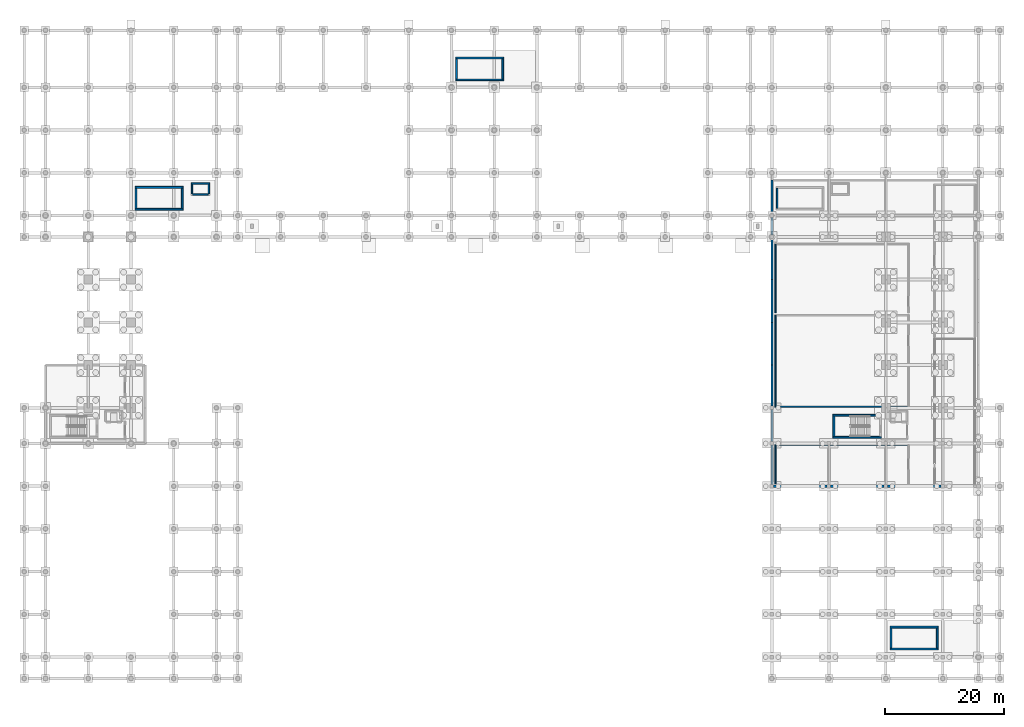
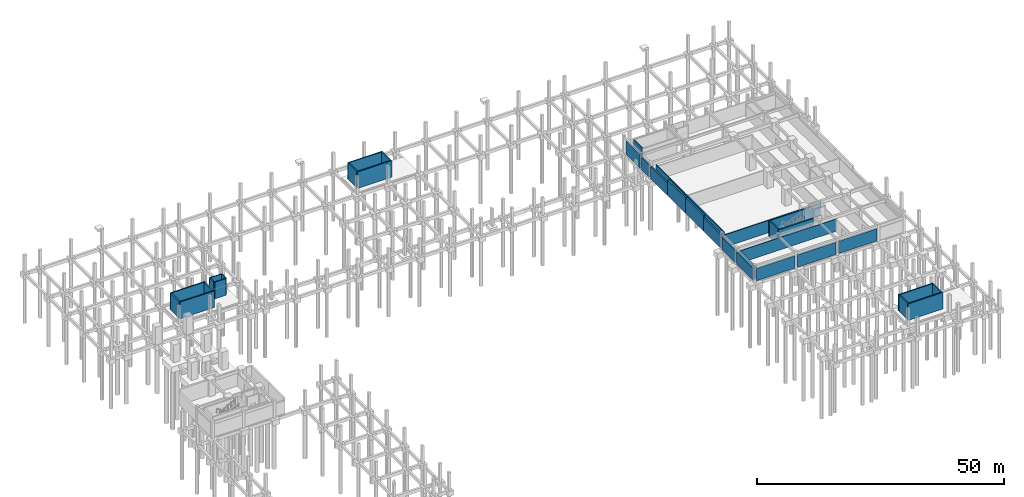
# One storey, part 15 of 20: 36 walls.
"""IFC4 building model written with IfcOpenShell, lengths in metres."""

from ifc_helpers import new_model, si_unit, direction, frame, frame_2d, origin, place, context, subcontext, project, spatial, rectangle, extrude, material, layer, layer_set, type_object, element, save


model = new_model("IFC4")

# Units and contexts
model_context = context("Model", 3, precision=1e-05, world=origin(), true_north=direction((0.0, 1.0)))
body_context = subcontext(model_context, "Body", "Model", "MODEL_VIEW")
ifc_project = project(units=[si_unit("LENGTHUNIT", "METRE"), si_unit("AREAUNIT", "SQUARE_METRE"), si_unit("VOLUMEUNIT", "CUBIC_METRE"), si_unit("PLANEANGLEUNIT", "RADIAN"), si_unit("MASSUNIT", "GRAM", prefix="KILO")], contexts=[model_context])

# Site, building, storey
site_placement = place(None, origin())
site = spatial("IfcSite", under=ifc_project, at=site_placement, CompositionType="ELEMENT")
building_placement = place(site_placement, origin())
building = spatial("IfcBuilding", under=site, at=building_placement, Name="Nzembalo Square Collegiate School", CompositionType="ELEMENT")
storey_placement = place(building_placement, frame((0.0, 0.0, -4.080078125)))
storey = spatial("IfcBuildingStorey", under=building, at=storey_placement, Name="B1", CompositionType="ELEMENT", Elevation=-4.080078125)

# Walls
ifc_material_1 = material(Name="Concrete C40/50", Category="concrete")
ifc_layer_1 = layer(ifc_material_1, 0.320068359375, Name="Concrete C40/50")
ifc_layer_set_1 = layer_set([ifc_layer_1], Name="Concrete C40/50")
wall_type_1 = type_object("IfcWallType", Name="SW01", PredefinedType="SHEAR", material=ifc_layer_set_1)
wall_1_placement = place(storey_placement, frame((141.239990234375, 45.60009765625, 0.0), z_axis=(0.0, 0.0, 1.0), x_axis=(0.0, 1.0, 0.0)))
element("IfcWall", 1, at=wall_1_placement, inside=storey, type_object=wall_type_1, Name="Core C5 stair shear wall W B1", PredefinedType="SHEAR", context=body_context, shape_type="SweptSolid", body=[
    extrude(rectangle(XDim=3.39990234375, YDim=0.320068359375, at=frame_2d((1.699951171875, 0.0))), origin(), (0.0, 0.0, 1.0), 4.080078125),
])
for number, where, z_axis, x_axis, name in (
    (2, (141.080078125, 45.43994140625, 0.0), (0.0, 0.0, 1.0), (1.0, 0.0, 0.0), "Core C5 stair shear wall S B1"),
    (3, (141.080078125, 49.159912109375, 0.0), (0.0, 0.0, 1.0), (1.0, 0.0, 0.0), "Core C5 stair shear wall N B1"),
):
    element("IfcWall", number, at=place(storey_placement, frame(where, z_axis=z_axis, x_axis=x_axis)), inside=storey, type_object=wall_type_1, Name=name, PredefinedType="SHEAR", context=body_context, shape_type="SweptSolid", body=[
        extrude(rectangle(XDim=8.139892578125, YDim=0.320068359375, at=frame_2d((4.06982421875, 0.0))), origin(), (0.0, 0.0, 1.0), 4.080078125),
    ])
ifc_material_2 = material(Name="Concrete C40/50", Category="concrete")
ifc_layer_2 = layer(ifc_material_2, 0.300048828125, Name="Concrete C40/50")
ifc_layer_set_2 = layer_set([ifc_layer_2], Name="Concrete C40/50")
wall_type_2 = type_object("IfcWallType", Name="SW02", PredefinedType="SHEAR", material=ifc_layer_set_2)
wall_2_placement = place(storey_placement, frame((23.64990234375, 84.0, 0.0), z_axis=(0.0, 0.0, 1.0), x_axis=(0.0, 1.0, 0.0)))
element("IfcWall", 4, at=wall_2_placement, inside=storey, type_object=wall_type_2, Name="Core C2 stair shear wall W B1", PredefinedType="SHEAR", context=body_context, shape_type="SweptSolid", body=[
    extrude(rectangle(XDim=3.39990234375, YDim=0.300048828125, at=frame_2d((1.699951171875, 0.0))), origin(), (0.0, 0.0, 1.0), 4.080078125),
])
for number, where, z_axis, x_axis, name in (
    (5, (23.5, 83.85009765625, 0.0), (0.0, 0.0, 1.0), (1.0, 0.0, 0.0), "Core C2 stair shear wall S B1"),
    (6, (23.5, 87.550048828125, 0.0), (0.0, 0.0, 1.0), (1.0, 0.0, 0.0), "Core C2 stair shear wall N B1"),
):
    element("IfcWall", number, at=place(storey_placement, frame(where, z_axis=z_axis, x_axis=x_axis)), inside=storey, type_object=wall_type_2, Name=name, PredefinedType="SHEAR", context=body_context, shape_type="SweptSolid", body=[
        extrude(rectangle(XDim=8.10009765625, YDim=0.300048828125, at=frame_2d((4.050048828125, 0.0))), origin(), (0.0, 0.0, 1.0), 4.080078125),
    ])
wall_3_placement = place(storey_placement, frame((31.449951171875, 84.0, 0.0), z_axis=(0.0, 0.0, 1.0), x_axis=(0.0, 1.0, 0.0)))
element("IfcWall", 7, at=wall_3_placement, inside=storey, type_object=wall_type_2, Name="Core C2 stair shear wall E B1", PredefinedType="SHEAR", context=body_context, shape_type="SweptSolid", body=[
    extrude(rectangle(XDim=3.39990234375, YDim=0.300048828125, at=frame_2d((1.699951171875, 0.0))), origin(), (0.0, 0.0, 1.0), 4.080078125),
])
wall_4_placement = place(storey_placement, frame((150.85009765625, 9.89990234375, 0.0), z_axis=(0.0, 0.0, 1.0), x_axis=(0.0, 1.0, 0.0)))
element("IfcWall", 8, at=wall_4_placement, inside=storey, type_object=wall_type_2, Name="Core C6 stair shear wall W B1", PredefinedType="SHEAR", context=body_context, shape_type="SweptSolid", body=[
    extrude(rectangle(XDim=3.400146484375, YDim=0.300048828125, at=frame_2d((1.7001953125, 0.0))), origin(), (0.0, 0.0, 1.0), 4.080078125),
])
for number, where, z_axis, x_axis, name in (
    (9, (150.699951171875, 9.75, 0.0), (0.0, 0.0, 1.0), (1.0, 0.0, 0.0), "Core C6 stair shear wall S B1"),
    (10, (150.699951171875, 13.449951171875, 0.0), (0.0, 0.0, 1.0), (1.0, 0.0, 0.0), "Core C6 stair shear wall N B1"),
):
    element("IfcWall", number, at=place(storey_placement, frame(where, z_axis=z_axis, x_axis=x_axis)), inside=storey, type_object=wall_type_2, Name=name, PredefinedType="SHEAR", context=body_context, shape_type="SweptSolid", body=[
        extrude(rectangle(XDim=8.10009765625, YDim=0.300048828125, at=frame_2d((4.050048828125, 0.0))), origin(), (0.0, 0.0, 1.0), 4.080078125),
    ])
wall_5_placement = place(storey_placement, frame((158.64990234375, 9.89990234375, 0.0), z_axis=(0.0, 0.0, 1.0), x_axis=(0.0, 1.0, 0.0)))
element("IfcWall", 11, at=wall_5_placement, inside=storey, type_object=wall_type_2, Name="Core C6 stair shear wall E B1", PredefinedType="SHEAR", context=body_context, shape_type="SweptSolid", body=[
    extrude(rectangle(XDim=3.400146484375, YDim=0.300048828125, at=frame_2d((1.7001953125, 0.0))), origin(), (0.0, 0.0, 1.0), 4.080078125),
])
ifc_material_3 = material(Name="Concrete C35/45", Category="concrete")
ifc_layer_3 = layer(ifc_material_3, 0.280029296875, Name="Concrete C35/45")
ifc_layer_set_3 = layer_set([ifc_layer_3], Name="Concrete C35/45")
wall_type_3 = type_object("IfcWallType", Name="SW03", PredefinedType="SHEAR", material=ifc_layer_set_3)
wall_6_placement = place(storey_placement, frame((77.659912109375, 105.800048828125, 0.0), z_axis=(0.0, 0.0, 1.0), x_axis=(0.0, 1.0, 0.0)))
element("IfcWall", 12, at=wall_6_placement, inside=storey, type_object=wall_type_3, Name="Core C3 stair shear wall W B1", PredefinedType="SHEAR", context=body_context, shape_type="SweptSolid", body=[
    extrude(rectangle(XDim=3.39990234375, YDim=0.280029296875, at=frame_2d((1.699951171875, 0.0))), origin(), (0.0, 0.0, 1.0), 4.080078125),
])
for number, where, z_axis, x_axis, name in (
    (13, (77.52001953125, 105.659912109375, 0.0), (0.0, 0.0, 1.0), (1.0, 0.0, 0.0), "Core C3 stair shear wall S B1"),
    (14, (77.52001953125, 109.340087890625, 0.0), (0.0, 0.0, 1.0), (1.0, 0.0, 0.0), "Core C3 stair shear wall N B1"),
):
    element("IfcWall", number, at=place(storey_placement, frame(where, z_axis=z_axis, x_axis=x_axis)), inside=storey, type_object=wall_type_3, Name=name, PredefinedType="SHEAR", context=body_context, shape_type="SweptSolid", body=[
        extrude(rectangle(XDim=8.06005859375, YDim=0.280029296875, at=frame_2d((4.030029296875, 0.0))), origin(), (0.0, 0.0, 1.0), 4.080078125),
    ])
wall_7_placement = place(storey_placement, frame((85.43994140625, 105.800048828125, 0.0), z_axis=(0.0, 0.0, 1.0), x_axis=(0.0, 1.0, 0.0)))
element("IfcWall", 15, at=wall_7_placement, inside=storey, type_object=wall_type_3, Name="Core C3 stair shear wall E B1", PredefinedType="SHEAR", context=body_context, shape_type="SweptSolid", body=[
    extrude(rectangle(XDim=3.39990234375, YDim=0.280029296875, at=frame_2d((1.699951171875, 0.0))), origin(), (0.0, 0.0, 1.0), 4.080078125),
])
ifc_material_4 = material(Name="Concrete C35/45", Category="concrete")
ifc_layer_4 = layer(ifc_material_4, 0.260009765625, Name="Concrete C35/45")
ifc_layer_set_4 = layer_set([ifc_layer_4], Name="Concrete C35/45")
wall_type_4 = type_object("IfcWallType", Name="SW04", PredefinedType="SHEAR", material=ifc_layer_set_4)
wall_8_placement = place(storey_placement, frame((131.669921875, 84.0, 0.0), z_axis=(0.0, 0.0, 1.0), x_axis=(0.0, 1.0, 0.0)))
element("IfcWall", 16, at=wall_8_placement, inside=storey, type_object=wall_type_4, Name="Core C4 stair shear wall W B1", PredefinedType="SHEAR", context=body_context, shape_type="SweptSolid", body=[
    extrude(rectangle(XDim=3.39990234375, YDim=0.260009765625, at=frame_2d((1.699951171875, 0.0))), origin(), (0.0, 0.0, 1.0), 4.080078125),
])
ifc_material_5 = material(Name="Concrete C35/45", Category="concrete")
ifc_layer_5 = layer(ifc_material_5, 0.239990234375, Name="Concrete C35/45")
ifc_layer_set_5 = layer_set([ifc_layer_5], Name="Concrete C35/45")
wall_type_5 = type_object("IfcWallType", Name="SW06", PredefinedType="SHEAR", material=ifc_layer_set_5)
for number, where, z_axis, x_axis, name in (
    (17, (33.080078125, 86.5, 0.0), (0.0, 0.0, 1.0), (0.0, 1.0, 0.0), "Lift LF2 shaft wall W B1"),
    (18, (35.919921875, 86.5, 0.0), (0.0, 0.0, 1.0), (0.0, 1.0, 0.0), "Lift LF2 shaft wall E B1"),
):
    element("IfcWall", number, at=place(storey_placement, frame(where, z_axis=z_axis, x_axis=x_axis)), inside=storey, type_object=wall_type_5, Name=name, PredefinedType="SHEAR", context=body_context, shape_type="SweptSolid", body=[
        extrude(rectangle(XDim=1.60009765625, YDim=0.239990234375, at=frame_2d((0.800048828125, 0.0))), origin(), (0.0, 0.0, 1.0), 4.080078125),
    ])
wall_9_placement = place(storey_placement, frame((32.9599609375, 88.219970703125, 0.0), z_axis=(0.0, 0.0, 1.0), x_axis=(1.0, 0.0, 0.0)))
element("IfcWall", 19, at=wall_9_placement, inside=storey, type_object=wall_type_5, Name="Lift LF2 shaft wall N B1", PredefinedType="SHEAR", context=body_context, shape_type="SweptSolid", body=[
    extrude(rectangle(XDim=3.080078125, YDim=0.239990234375, at=frame_2d((1.5400390625, 0.0))), origin(), (0.0, 0.0, 1.0), 4.080078125),
])
wall_10_placement = place(storey_placement, frame((33.199951171875, 86.3798828125, 0.0), z_axis=(0.0, 0.0, 1.0), x_axis=(1.0, 0.0, 0.0)))
element("IfcWall", 20, at=wall_10_placement, inside=storey, type_object=wall_type_5, Name="Lift LF2 landing front wall B1", PredefinedType="SHEAR", context=body_context, shape_type="SweptSolid", body=[
    extrude(rectangle(XDim=2.60009765625, YDim=0.239990234375, at=frame_2d((1.300048828125, 0.0))), origin(), (0.0, 0.0, 1.0), 4.080078125),
])
ifc_material_6 = material(Name="Concrete C35/45", Category="concrete")
ifc_layer_6 = layer(ifc_material_6, 0.3798828125, Name="Concrete C35/45")
ifc_layer_set_6 = layer_set([ifc_layer_6], Name="Concrete C35/45")
wall_type_6 = type_object("IfcWallType", Name="W09", PredefinedType="SOLIDWALL", material=ifc_layer_set_6)
wall_11_placement = place(storey_placement, frame((130.800048828125, 37.501953125, 0.0), z_axis=(0.0, 0.0, 1.0), x_axis=(0.0, 1.0, 0.0)))
element("IfcWall", 21, at=wall_11_placement, inside=storey, type_object=wall_type_6, Name="Exterior wall W09 B1", PredefinedType="SOLIDWALL", context=body_context, shape_type="SweptSolid", body=[
    extrude(rectangle(XDim=6.595947265625, YDim=0.3798828125, at=frame_2d((3.2978515625, 0.0))), origin(), (0.0, 0.0, 1.0), 3.0390625),
])
wall_12_placement = place(storey_placement, frame((130.800048828125, 44.701904296875, 0.0), z_axis=(0.0, 0.0, 1.0), x_axis=(0.0, 1.0, 0.0)))
element("IfcWall", 22, at=wall_12_placement, inside=storey, type_object=wall_type_6, Name="Exterior wall W09 B1", PredefinedType="SOLIDWALL", context=body_context, shape_type="SweptSolid", body=[
    extrude(rectangle(XDim=5.39599609375, YDim=0.3798828125, at=frame_2d((2.697998046875, 0.0))), origin(), (0.0, 0.0, 1.0), 3.0390625),
])
wall_13_placement = place(storey_placement, frame((130.800048828125, 50.701904296875, 0.0), z_axis=(0.0, 0.0, 1.0), x_axis=(0.0, 1.0, 0.0)))
element("IfcWall", 23, at=wall_13_placement, inside=storey, type_object=wall_type_6, Name="Exterior wall W09 B1", PredefinedType="SOLIDWALL", context=body_context, shape_type="SweptSolid", body=[
    extrude(rectangle(XDim=6.898193359375, YDim=0.3798828125, at=frame_2d((3.44921875, 0.0))), origin(), (0.0, 0.0, 1.0), 3.2890625),
])
for number, where, z_axis, x_axis, name in (
    (24, (130.800048828125, 57.60009765625, 0.0), (0.0, 0.0, 1.0), (0.0, 1.0, 0.0), "Exterior wall W09 B1"),
    (25, (130.800048828125, 64.800048828125, 0.0), (0.0, 0.0, 1.0), (0.0, 1.0, 0.0), "Exterior wall W09 B1"),
):
    element("IfcWall", number, at=place(storey_placement, frame(where, z_axis=z_axis, x_axis=x_axis)), inside=storey, type_object=wall_type_6, Name=name, PredefinedType="SOLIDWALL", context=body_context, shape_type="SweptSolid", body=[
        extrude(rectangle(XDim=7.199951171875, YDim=0.3798828125, at=frame_2d((3.60009765625, 0.0))), origin(), (0.0, 0.0, 1.0), 3.81396484375),
    ])
wall_14_placement = place(storey_placement, frame((130.800048828125, 72.0, 0.0), z_axis=(0.0, 0.0, 1.0), x_axis=(0.0, 1.0, 0.0)))
element("IfcWall", 26, at=wall_14_placement, inside=storey, type_object=wall_type_6, Name="Exterior wall W09 B1", PredefinedType="SOLIDWALL", context=body_context, shape_type="SweptSolid", body=[
    extrude(rectangle(XDim=6.89794921875, YDim=0.3798828125, at=frame_2d((3.448974609375, 0.0))), origin(), (0.0, 0.0, 1.0), 3.0390625),
])
wall_15_placement = place(storey_placement, frame((130.800048828125, 79.501953125, 0.0), z_axis=(0.0, 0.0, 1.0), x_axis=(0.0, 1.0, 0.0)))
element("IfcWall", 27, at=wall_15_placement, inside=storey, type_object=wall_type_6, Name="Exterior wall W09 B1", PredefinedType="SOLIDWALL", context=body_context, shape_type="SweptSolid", body=[
    extrude(rectangle(XDim=2.99609375, YDim=0.3798828125, at=frame_2d((1.498046875, 0.0))), origin(), (0.0, 0.0, 1.0), 3.0390625),
])
wall_16_placement = place(storey_placement, frame((130.800048828125, 83.10205078125, 0.0), z_axis=(0.0, 0.0, 1.0), x_axis=(0.0, 1.0, 0.0)))
element("IfcWall", 28, at=wall_16_placement, inside=storey, type_object=wall_type_6, Name="Exterior wall W09 B1", PredefinedType="SOLIDWALL", context=body_context, shape_type="SweptSolid", body=[
    extrude(rectangle(XDim=5.697998046875, YDim=0.3798828125, at=frame_2d((2.84912109375, 0.0))), origin(), (0.0, 0.0, 1.0), 3.2890625),
])
wall_17_placement = place(storey_placement, frame((131.10205078125, 37.199951171875, 0.0), z_axis=(0.0, 0.0, 1.0), x_axis=(1.0, 0.0, 0.0)))
element("IfcWall", 29, at=wall_17_placement, inside=storey, type_object=wall_type_6, Name="Exterior wall W09 B1", PredefinedType="SOLIDWALL", context=body_context, shape_type="SweptSolid", body=[
    extrude(rectangle(XDim=8.995849609375, YDim=0.3798828125, at=frame_2d((4.498046875, 0.0))), origin(), (0.0, 0.0, 1.0), 3.0390625),
])
for number, where, z_axis, x_axis, name in (
    (30, (140.701904296875, 37.199951171875, 0.0), (0.0, 0.0, 1.0), (1.0, 0.0, 0.0), "Exterior wall W09 B1"),
    (31, (150.302001953125, 37.199951171875, 0.0), (0.0, 0.0, 1.0), (1.0, 0.0, 0.0), "Exterior wall W09 B1"),
):
    element("IfcWall", number, at=place(storey_placement, frame(where, z_axis=z_axis, x_axis=x_axis)), inside=storey, type_object=wall_type_6, Name=name, PredefinedType="SOLIDWALL", context=body_context, shape_type="SweptSolid", body=[
        extrude(rectangle(XDim=8.99609375, YDim=0.3798828125, at=frame_2d((4.498046875, 0.0))), origin(), (0.0, 0.0, 1.0), 3.0390625),
    ])
ifc_material_7 = material(Name="Concrete blockwork C25/30", Category="masonry")
ifc_layer_7 = layer(ifc_material_7, 0.205078125, Name="Concrete blockwork C25/30")
ifc_layer_set_7 = layer_set([ifc_layer_7], Name="Concrete blockwork C25/30")
wall_type_7 = type_object("IfcWallType", Name="W21", PredefinedType="PARTITIONING", material=ifc_layer_set_7)
wall_18_placement = place(storey_placement, frame((131.297607421875, 50.60009765625, 0.0), z_axis=(0.0, 0.0, 1.0), x_axis=(1.0, 0.0, 0.0)))
element("IfcWall", 32, at=wall_18_placement, inside=storey, type_object=wall_type_7, Name="Interior partition W21 B1-010-S", PredefinedType="PARTITIONING", context=body_context, shape_type="SweptSolid", body=[
    extrude(rectangle(XDim=22.60498046875, YDim=0.205078125, at=frame_2d((11.302490234375, 0.0))), origin(), (0.0, 0.0, 1.0), 3.0390625),
])
wall_19_placement = place(storey_placement, frame((131.39990234375, 50.60009765625, 0.0), z_axis=(0.0, 0.0, 1.0), x_axis=(0.0, 1.0, 0.0)))
element("IfcWall", 33, at=wall_19_placement, inside=storey, type_object=wall_type_7, Name="Interior partition W21 B1-010-W", PredefinedType="PARTITIONING", context=body_context, shape_type="SweptSolid", body=[
    extrude(rectangle(XDim=15.39990234375, YDim=0.205078125, at=frame_2d((7.699951171875, 0.0))), origin(), (0.0, 0.0, 1.0), 3.774169921875),
])
wall_20_placement = place(storey_placement, frame((131.39990234375, 66.39990234375, 0.0), z_axis=(0.0, 0.0, 1.0), x_axis=(0.0, 1.0, 0.0)))
element("IfcWall", 34, at=wall_20_placement, inside=storey, type_object=wall_type_7, Name="Interior partition W21 B1-011-W", PredefinedType="PARTITIONING", context=body_context, shape_type="SweptSolid", body=[
    extrude(rectangle(XDim=11.60009765625, YDim=0.205078125, at=frame_2d((5.800048828125, 0.0))), origin(), (0.0, 0.0, 1.0), 3.774169921875),
])
wall_21_placement = place(storey_placement, frame((131.297607421875, 44.199951171875, 0.0), z_axis=(0.0, 0.0, 1.0), x_axis=(1.0, 0.0, 0.0)))
element("IfcWall", 35, at=wall_21_placement, inside=storey, type_object=wall_type_7, Name="Interior partition W21 B1-012-N", PredefinedType="PARTITIONING", context=body_context, shape_type="SweptSolid", body=[
    extrude(rectangle(XDim=22.60498046875, YDim=0.205078125, at=frame_2d((11.302490234375, 0.0))), origin(), (0.0, 0.0, 1.0), 3.0390625),
])
wall_22_placement = place(storey_placement, frame((131.39990234375, 37.60009765625, 0.0), z_axis=(0.0, 0.0, 1.0), x_axis=(0.0, 1.0, 0.0)))
element("IfcWall", 36, at=wall_22_placement, inside=storey, type_object=wall_type_7, Name="Interior partition W21 B1-012-W", PredefinedType="PARTITIONING", context=body_context, shape_type="SweptSolid", body=[
    extrude(rectangle(XDim=6.599853515625, YDim=0.205078125, at=frame_2d((3.2998046875, 0.0))), origin(), (0.0, 0.0, 1.0), 3.0390625),
])

save(model, "model.ifc")
